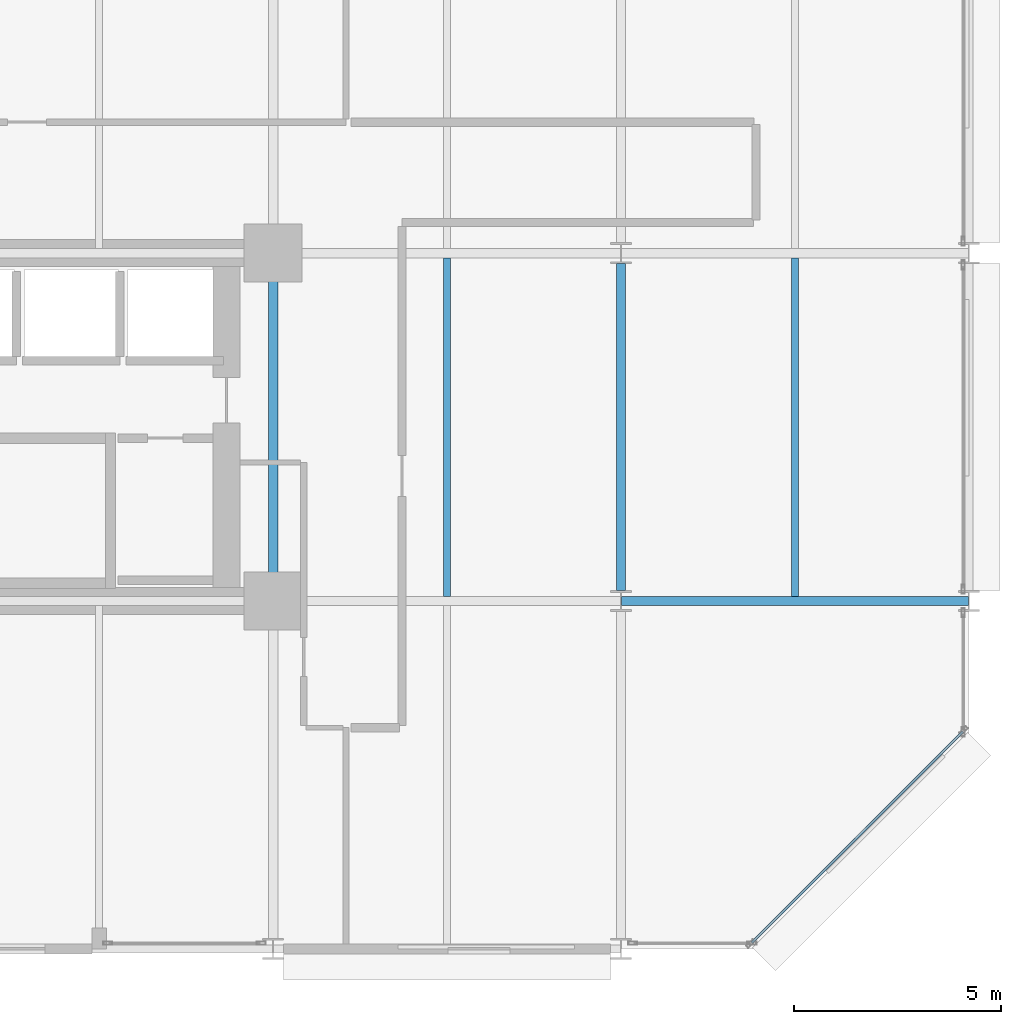
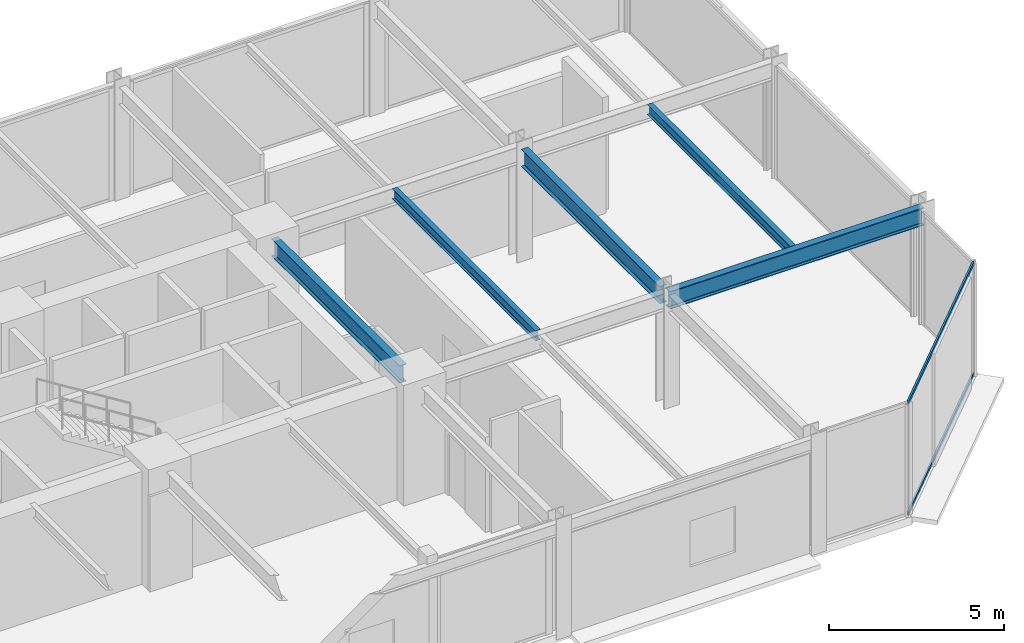
# One storey, part 10 of 25: 5 beams, 2 members, 1 element without a shape of its own.
"""IFC4 building model written with IfcOpenShell, lengths in metres."""

from ifc_helpers import new_model, si_unit, direction, frame, origin, origin_2d, place, context, subcontext, project, spatial, hollow_rectangle, i_section, extrude, material, layer, layer_set, material_profile, profile_set, type_object, element, aggregate, save


model = new_model("IFC4")

# Units and contexts
model_context = context("Model", 3, precision=1e-05, world=origin(), true_north=direction((0.0, 1.0)))
body_context = subcontext(model_context, "Body", "Model", "MODEL_VIEW")
ifc_project = project(units=[si_unit("LENGTHUNIT", "METRE"), si_unit("AREAUNIT", "SQUARE_METRE"), si_unit("VOLUMEUNIT", "CUBIC_METRE"), si_unit("PLANEANGLEUNIT", "RADIAN"), si_unit("MASSUNIT", "GRAM", prefix="KILO")], contexts=[model_context])

# Site, building, storey
site_placement = place(None, origin())
site = spatial("IfcSite", under=ifc_project, at=site_placement, CompositionType="ELEMENT")
building_placement = place(site_placement, origin())
building = spatial("IfcBuilding", under=site, at=building_placement, Name="Nerrivon Quay Data Exchange", CompositionType="ELEMENT")
storey_placement = place(building_placement, frame((0.0, 0.0, 29.0)))
storey = spatial("IfcBuildingStorey", under=building, at=storey_placement, Name="L06", CompositionType="ELEMENT", Elevation=29.0)

# Beams
ifc_material_1 = material(Name="Steel Grade 350", Category="steel")
ifc_material_profile_1 = material_profile(ifc_material_1, i_section(OverallWidth=0.22900390625, OverallDepth=0.612060546875, WebThickness=0.011962890625, FlangeThickness=0.01953125, FilletRadius=0.013916015625, at=origin_2d()), Name="610UB125")
ifc_profile_set_1 = profile_set([ifc_material_profile_1], Name="Steel Grade 350")
beam_type_1 = type_object("IfcBeamType", Name="BM-G1-610UB125", PredefinedType="BEAM", material=ifc_profile_set_1)
beam_1_placement = place(storey_placement, frame((42.013916015625, 8.39990234375, 3.618896484375), z_axis=(1.0, 0.0, 0.0), x_axis=(0.0, 1.0, 0.0)))
element("IfcBeam", 1, at=beam_1_placement, inside=storey, type_object=beam_type_1, Name="L06 EW Girder Y=8.4 (42.0..50.4)", PredefinedType="BEAM", context=body_context, shape_type="SweptSolid", body=[
    extrude(i_section(OverallWidth=0.22900390625, OverallDepth=0.612060546875, WebThickness=0.011962890625, FlangeThickness=0.01953125, FilletRadius=0.013916015625, at=origin_2d()), origin(), (0.0, 0.0, 1.0), 8.3720703125),
])
ifc_material_profile_2 = material_profile(ifc_material_1, i_section(OverallWidth=0.22802734375, OverallDepth=0.60205078125, WebThickness=0.010498046875, FlangeThickness=0.014892578125, FilletRadius=0.013916015625, at=origin_2d()), Name="610UB101")
ifc_profile_set_2 = profile_set([ifc_material_profile_2], Name="Steel Grade 350")
beam_type_2 = type_object("IfcBeamType", Name="BM-G2-610UB101", PredefinedType="BEAM", material=ifc_profile_set_2)
beam_2_placement = place(storey_placement, frame((33.60009765625, 8.93994140625, 3.6240234375), z_axis=(0.0, 1.0, 0.0), x_axis=(-1.0, 0.0, 0.0)))
element("IfcBeam", 2, at=beam_2_placement, inside=storey, type_object=beam_type_2, Name="L06 NS Girder X=33.6 (8.4..16.8)", PredefinedType="BEAM", context=body_context, shape_type="SweptSolid", body=[
    extrude(i_section(OverallWidth=0.22802734375, OverallDepth=0.60205078125, WebThickness=0.010498046875, FlangeThickness=0.014892578125, FilletRadius=0.013916015625, at=origin_2d()), origin(), (0.0, 0.0, 1.0), 7.320068359375),
])
beam_3_placement = place(storey_placement, frame((42.0, 8.64990234375, 3.6240234375), z_axis=(0.0, 1.0, 0.0), x_axis=(-1.0, 0.0, 0.0)))
element("IfcBeam", 3, at=beam_3_placement, inside=storey, type_object=beam_type_2, Name="L06 NS Girder X=42.0 (8.4..16.8)", PredefinedType="BEAM", context=body_context, shape_type="SweptSolid", body=[
    extrude(i_section(OverallWidth=0.22802734375, OverallDepth=0.60205078125, WebThickness=0.010498046875, FlangeThickness=0.014892578125, FilletRadius=0.013916015625, at=origin_2d()), origin(), (0.0, 0.0, 1.0), 7.900146484375),
])
ifc_material_profile_3 = material_profile(ifc_material_1, i_section(OverallWidth=0.172119140625, OverallDepth=0.35888671875, WebThickness=0.008056640625, FlangeThickness=0.012939453125, FilletRadius=0.011474609375, at=origin_2d()), Name="360UB56.7")
ifc_profile_set_3 = profile_set([ifc_material_profile_3], Name="Steel Grade 350")
beam_type_3 = type_object("IfcBeamType", Name="BM-J3-360UB57", PredefinedType="JOIST", material=ifc_profile_set_3)
for number, where, z_axis, x_axis, name in (
    (4, (37.800048828125, 8.514404296875, 3.74560546875), (0.0, 1.0, 0.0), (-1.0, 0.0, 0.0), "L06 Secondary Joist X=37.8 (8.4..16.8)"),
    (5, (46.199951171875, 8.514404296875, 3.74560546875), (0.0, 1.0, 0.0), (-1.0, 0.0, 0.0), "L06 Secondary Joist X=46.2 (8.4..16.8)"),
):
    element("IfcBeam", number, at=place(storey_placement, frame(where, z_axis=z_axis, x_axis=x_axis)), inside=storey, type_object=beam_type_3, Name=name, PredefinedType="JOIST", context=body_context, shape_type="SweptSolid", body=[
        extrude(i_section(OverallWidth=0.172119140625, OverallDepth=0.35888671875, WebThickness=0.008056640625, FlangeThickness=0.012939453125, FilletRadius=0.011474609375, at=origin_2d()), origin(), (0.0, 0.0, 1.0), 8.171142578125),
    ])

# Curtain wall, members
ifc_material_2 = material(Name="Anodised aluminium 6063-T6", Category="aluminium")
ifc_layer = layer(ifc_material_2, 0.219970703125)
ifc_layer_set = layer_set([ifc_layer], Name="Anodised aluminium 6063-T6")
curtain_wall_type = type_object("IfcCurtainWallType", Name="CW-SYS-01", PredefinedType="NOTDEFINED", material=ifc_layer_set)
curtain_wall_placement = place(storey_placement, origin())
curtain_wall = element("IfcCurtainWall", 6, at=curtain_wall_placement, inside=storey, type_object=curtain_wall_type, Name="L06 Unitised Curtain Wall 1", PredefinedType="NOTDEFINED")
ifc_material_profile_4 = material_profile(ifc_material_2, hollow_rectangle(XDim=0.06005859375, YDim=0.1201171875, WallThickness=0.003173828125, at=origin_2d()), Name="ALU-TRAN-120x60")
ifc_profile_set_4 = profile_set([ifc_material_profile_4], Name="Anodised aluminium 6063-T6")
member_type = type_object("IfcMemberType", Name="CWT-120x60", PredefinedType="USERDEFINED", material=ifc_profile_set_4)
member_1_placement = place(storey_placement, frame((50.248046875, 5.245849609375, 0.032470703125), z_axis=(-0.707123726196, -0.707089835771, 0.0), x_axis=(0.707089835771, -0.707123726196, 0.0)))
member_1 = element("IfcMember", 7, at=member_1_placement, type_object=member_type, Name="CW01 transom 1.1", ObjectType="TRANSOM", PredefinedType="USERDEFINED", context=body_context, shape_type="SweptSolid", body=[
    extrude(hollow_rectangle(XDim=0.06005859375, YDim=0.1201171875, WallThickness=0.003173828125, at=origin_2d()), origin(), (0.0, 0.0, 1.0), 7.203857421875),
])
member_2_placement = place(storey_placement, frame((50.248046875, 5.245849609375, 3.892578125), z_axis=(-0.707123726196, -0.707089835771, 0.0), x_axis=(0.707089835771, -0.707123726196, 0.0)))
member_2 = element("IfcMember", 8, at=member_2_placement, type_object=member_type, Name="CW01 transom 1.2", ObjectType="TRANSOM", PredefinedType="USERDEFINED", context=body_context, shape_type="SweptSolid", body=[
    extrude(hollow_rectangle(XDim=0.06005859375, YDim=0.1201171875, WallThickness=0.003173828125, at=origin_2d()), origin(), (0.0, 0.0, 1.0), 7.203857421875),
])
aggregate(curtain_wall, [member_1, member_2])

save(model, "model.ifc")
